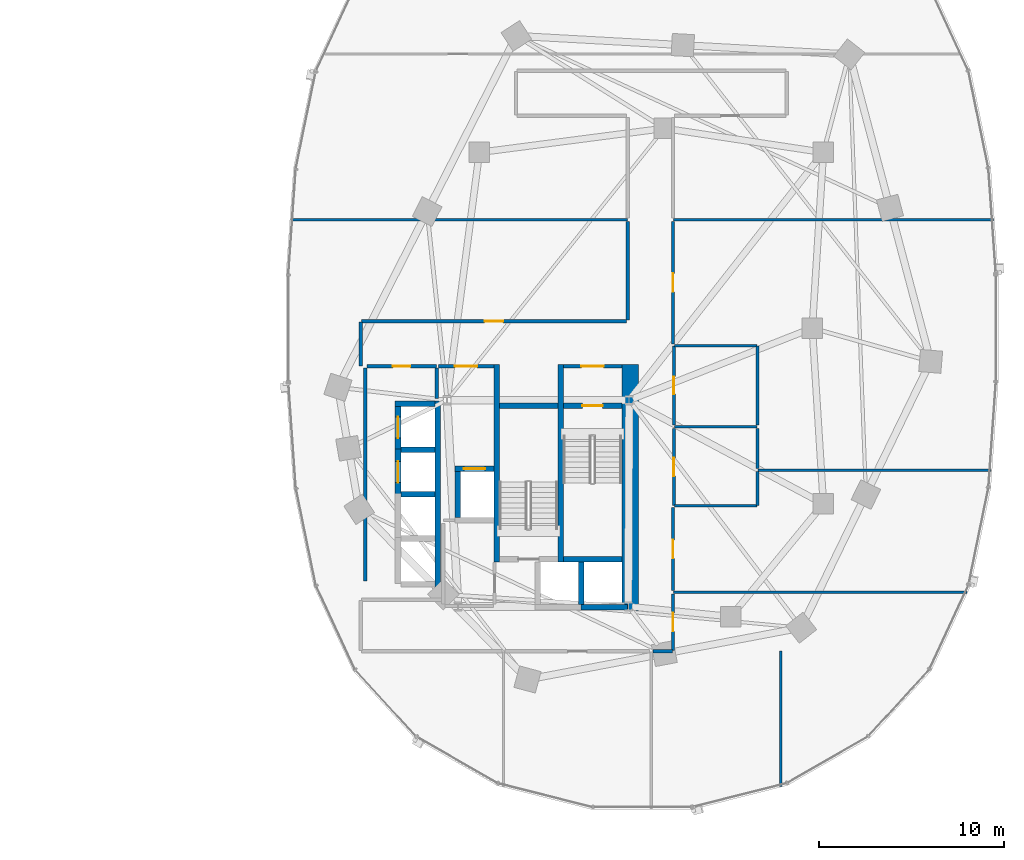
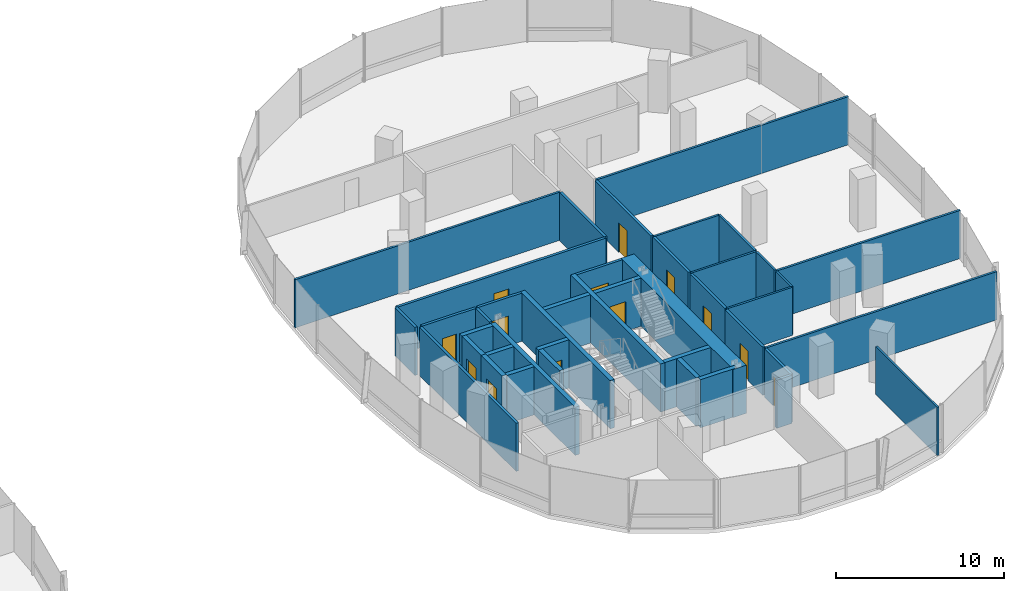
# One storey, part 13 of 21: 41 walls, 13 doors, 13 openings.
"""IFC4 building model written with IfcOpenShell, lengths in metres."""

from ifc_helpers import new_model, si_unit, direction, frame, frame_2d, origin, place, context, subcontext, project, spatial, rectangle, extrude, material, layer, layer_set, type_object, element, fill, save


model = new_model("IFC4")

# Units and contexts
model_context = context("Model", 3, precision=1e-05, world=origin(), true_north=direction((0.0, 1.0)))
body_context = subcontext(model_context, "Body", "Model", "MODEL_VIEW")
ifc_project = project(units=[si_unit("LENGTHUNIT", "METRE"), si_unit("AREAUNIT", "SQUARE_METRE"), si_unit("VOLUMEUNIT", "CUBIC_METRE"), si_unit("PLANEANGLEUNIT", "RADIAN"), si_unit("MASSUNIT", "GRAM", prefix="KILO"), si_unit("THERMODYNAMICTEMPERATUREUNIT", "KELVIN"), si_unit("POWERUNIT", "WATT")], contexts=[model_context])

# Site, building, storey
site_placement = place(None, origin())
site = spatial("IfcSite", under=ifc_project, at=site_placement, CompositionType="ELEMENT")
building_placement = place(site_placement, origin())
building = spatial("IfcBuilding", under=site, at=building_placement, Name="Cundina Bronze Exchange", CompositionType="ELEMENT")
storey_placement = place(building_placement, frame((0.0, 0.0, 62.0)))
storey = spatial("IfcBuildingStorey", under=building, at=storey_placement, Name="L15", CompositionType="ELEMENT", Elevation=62.0)

# Wall
ifc_material_1 = material(Name="Gypsum Fireboard Partition EI120")
ifc_layer_1 = layer(ifc_material_1, 0.179931640625, Name="Gypsum Fireboard Partition EI120")
ifc_layer_set_1 = layer_set([ifc_layer_1], Name="Gypsum Fireboard Partition EI120")
wall_type_1 = type_object("IfcWallType", Name="WL-COR-180", PredefinedType="PARTITIONING", material=ifc_layer_set_1)
wall_1_placement = place(storey_placement, frame((20.889892578125, -3.800048828125, 0.0), z_axis=(0.0, 0.0, 1.0), x_axis=(0.0, 1.0, 0.0)))
element("IfcWall", 1, at=wall_1_placement, inside=storey, type_object=wall_type_1, Name="L15 E Firefighting Lobby Side Wall", PredefinedType="PARTITIONING", context=body_context, shape_type="SweptSolid", body=[
    extrude(rectangle(XDim=1.650146484375, YDim=0.179931640625, at=frame_2d((0.8251953125, 0.0))), origin(), (0.0, 0.0, 1.0), 3.5),
])

# Wall, opening, door
wall_2_placement = place(storey_placement, frame((20.97998046875, -2.06005859375, 0.0), z_axis=(0.0, 0.0, 1.0), x_axis=(1.0, 0.0, 0.0)))
wall_2 = element("IfcWall", 2, at=wall_2_placement, inside=storey, type_object=wall_type_1, Name="L15 E Firefighting Lobby Exit Wall", PredefinedType="PARTITIONING", context=body_context, shape_type="SweptSolid", body=[
    extrude(rectangle(XDim=3.0, YDim=0.179931640625, at=frame_2d((1.5, 0.0))), origin(), (0.0, 0.0, 1.0), 3.5),
])
opening_1_placement = place(wall_2_placement, frame((0.89990234375, 0.0, 0.0)))
opening_1 = element("IfcOpeningElement", 3, at=opening_1_placement, cuts=wall_2, Name="Opening DF-01", PredefinedType="OPENING", context=body_context, shape_type="SweptSolid", body=[
    extrude(rectangle(XDim=1.199951171875, YDim=2.14990234375, at=frame_2d((0.60009765625, 1.074951171875))), frame((0.0, 0.099853515625, 0.0), z_axis=(0.0, -1.0, 0.0), x_axis=(1.0, 0.0, 0.0)), (0.0, 0.0, 1.0), 0.199951171875),
])
ifc_material_2 = material(Name="Steel ASTM A36 Painted", Category="steel")
door_type_1 = type_object("IfcDoorType", Name="DR-FFL-1200", OperationType="NOTDEFINED", PredefinedType="DOOR", material=ifc_material_2)
door_1_placement = place(opening_1_placement, origin())
door_1 = element("IfcDoor", 4, at=door_1_placement, inside=storey, type_object=door_type_1, Name="L15 E Firefighting Lobby Door", OperationType="SINGLE_SWING_LEFT", OverallHeight=2.14990234375, OverallWidth=1.199951171875, PredefinedType="DOOR", context=body_context, shape_type="SweptSolid", body=[
    extrude(rectangle(XDim=1.199951171875, YDim=2.14990234375, at=frame_2d((0.60009765625, 1.074951171875))), frame((0.0, 0.02490234375, 0.0), z_axis=(0.0, -1.0, 0.0), x_axis=(1.0, 0.0, 0.0)), (0.0, 0.0, 1.0), 0.050048828125),
])
fill(opening_1, door_1)

wall_3_placement = place(storey_placement, frame((27.739990234375, -2.06005859375, 0.0), z_axis=(0.0, 0.0, 1.0), x_axis=(1.0, 0.0, 0.0)))
wall_3 = element("IfcWall", 5, at=wall_3_placement, inside=storey, type_object=wall_type_1, Name="L15 E Stair Vestibule Exit Wall", PredefinedType="PARTITIONING", context=body_context, shape_type="SweptSolid", body=[
    extrude(rectangle(XDim=3.159912109375, YDim=0.179931640625, at=frame_2d((1.580078125, 0.0))), origin(), (0.0, 0.0, 1.0), 3.5),
])
opening_2_placement = place(wall_3_placement, frame((0.97998046875, 0.0, 0.0)))
opening_2 = element("IfcOpeningElement", 6, at=opening_2_placement, cuts=wall_3, Name="Opening DF-01", PredefinedType="OPENING", context=body_context, shape_type="SweptSolid", body=[
    extrude(rectangle(XDim=1.199951171875, YDim=2.14990234375, at=frame_2d((0.60009765625, 1.074951171875))), frame((0.0, 0.099853515625, 0.0), z_axis=(0.0, -1.0, 0.0), x_axis=(1.0, 0.0, 0.0)), (0.0, 0.0, 1.0), 0.199951171875),
])
door_2_placement = place(opening_2_placement, origin())
door_2 = element("IfcDoor", 7, at=door_2_placement, inside=storey, type_object=door_type_1, Name="L15 E Stair Vestibule Door", OperationType="SINGLE_SWING_RIGHT", OverallHeight=2.14990234375, OverallWidth=1.199951171875, PredefinedType="DOOR", context=body_context, shape_type="SweptSolid", body=[
    extrude(rectangle(XDim=1.199951171875, YDim=2.14990234375, at=frame_2d((0.60009765625, 1.074951171875))), frame((0.0, 0.02490234375, 0.0), z_axis=(0.0, -1.0, 0.0), x_axis=(1.0, 0.0, 0.0)), (0.0, 0.0, 1.0), 0.050048828125),
])
fill(opening_2, door_2)

# Wall
wall_4_placement = place(storey_placement, frame((17.02001953125, -13.679931640625, 0.0), z_axis=(0.0, 0.0, 1.0), x_axis=(0.0, 1.0, 0.0)))
element("IfcWall", 8, at=wall_4_placement, inside=storey, type_object=wall_type_1, Name="L15 Interior Partition 039", PredefinedType="PARTITIONING", context=body_context, shape_type="SweptSolid", body=[
    extrude(rectangle(XDim=11.510009765625, YDim=0.179931640625, at=frame_2d((5.7548828125, 0.0))), origin(), (0.0, 0.0, 1.0), 3.5),
])

# Wall, opening, door
wall_5_placement = place(storey_placement, frame((17.1201171875, -2.070068359375, 0.0), z_axis=(0.0, 0.0, 1.0), x_axis=(1.0, 0.0, 0.0)))
wall_5 = element("IfcWall", 9, at=wall_5_placement, inside=storey, type_object=wall_type_1, Name="L15 Interior Partition 040", PredefinedType="PARTITIONING", context=body_context, shape_type="SweptSolid", body=[
    extrude(rectangle(XDim=3.75, YDim=0.179931640625, at=frame_2d((1.875, 0.0))), origin(), (0.0, 0.0, 1.0), 3.5),
])
opening_3_placement = place(wall_5_placement, frame((1.39990234375, 0.0, 0.0)))
opening_3 = element("IfcOpeningElement", 10, at=opening_3_placement, cuts=wall_5, Name="Opening DW-01", PredefinedType="OPENING", context=body_context, shape_type="SweptSolid", body=[
    extrude(rectangle(XDim=0.949951171875, YDim=2.10009765625, at=frame_2d((0.47509765625, 1.050048828125))), frame((0.0, 0.099853515625, 0.0), z_axis=(0.0, -1.0, 0.0), x_axis=(1.0, 0.0, 0.0)), (0.0, 0.0, 1.0), 0.199951171875),
])
ifc_material_3 = material(Name="Solid Andean Oak Timber Grade A", Category="wood")
door_type_2 = type_object("IfcDoorType", Name="DR-WC-950", OperationType="NOTDEFINED", PredefinedType="DOOR", material=ifc_material_3)
door_3_placement = place(opening_3_placement, origin())
door_3 = element("IfcDoor", 11, at=door_3_placement, inside=storey, type_object=door_type_2, Name="L15 Interior Door 040", OperationType="SINGLE_SWING_RIGHT", OverallHeight=2.10009765625, OverallWidth=0.949951171875, PredefinedType="DOOR", context=body_context, shape_type="SweptSolid", body=[
    extrude(rectangle(XDim=0.949951171875, YDim=2.10009765625, at=frame_2d((0.47509765625, 1.050048828125))), frame((0.0, 0.02490234375, 0.0), z_axis=(0.0, -1.0, 0.0), x_axis=(1.0, 0.0, 0.0)), (0.0, 0.0, 1.0), 0.050048828125),
])
fill(opening_3, door_3)

wall_6_placement = place(storey_placement, frame((33.719970703125, -5.22998046875, 0.0), z_axis=(0.0, 0.0, 1.0), x_axis=(0.0, 1.0, 0.0)))
wall_6 = element("IfcWall", 12, at=wall_6_placement, inside=storey, type_object=wall_type_1, Name="L15 Interior Partition 051", PredefinedType="PARTITIONING", context=body_context, shape_type="SweptSolid", body=[
    extrude(rectangle(XDim=4.260009765625, YDim=0.179931640625, at=frame_2d((2.1298828125, 0.0))), origin(), (0.0, 0.0, 1.0), 3.5),
])
opening_4_placement = place(wall_6_placement, frame((1.655029296875, 0.0, 0.0)))
opening_4 = element("IfcOpeningElement", 13, at=opening_4_placement, cuts=wall_6, Name="Opening DW-01", PredefinedType="OPENING", context=body_context, shape_type="SweptSolid", body=[
    extrude(rectangle(XDim=0.949951171875, YDim=2.10009765625, at=frame_2d((0.47509765625, 1.050048828125))), frame((0.0, 0.099853515625, 0.0), z_axis=(0.0, -1.0, 0.0), x_axis=(1.0, 0.0, 0.0)), (0.0, 0.0, 1.0), 0.199951171875),
])
door_4_placement = place(opening_4_placement, origin())
door_4 = element("IfcDoor", 14, at=door_4_placement, inside=storey, type_object=door_type_2, Name="L15 Interior Door 051", OperationType="SINGLE_SWING_RIGHT", OverallHeight=2.10009765625, OverallWidth=0.949951171875, PredefinedType="DOOR", context=body_context, shape_type="SweptSolid", body=[
    extrude(rectangle(XDim=0.949951171875, YDim=2.10009765625, at=frame_2d((0.47509765625, 1.050048828125))), frame((0.0, 0.02490234375, 0.0), z_axis=(0.0, -1.0, 0.0), x_axis=(1.0, 0.0, 0.0)), (0.0, 0.0, 1.0), 0.050048828125),
])
fill(opening_4, door_4)

wall_7_placement = place(storey_placement, frame((33.719970703125, -9.590087890625, 0.0), z_axis=(0.0, 0.0, 1.0), x_axis=(0.0, 1.0, 0.0)))
wall_7 = element("IfcWall", 15, at=wall_7_placement, inside=storey, type_object=wall_type_1, Name="L15 Interior Partition 052", PredefinedType="PARTITIONING", context=body_context, shape_type="SweptSolid", body=[
    extrude(rectangle(XDim=4.16015625, YDim=0.179931640625, at=frame_2d((2.080078125, 0.0))), origin(), (0.0, 0.0, 1.0), 3.5),
])
opening_5_placement = place(wall_7_placement, frame((1.580078125, 0.0, 0.0)))
opening_5 = element("IfcOpeningElement", 16, at=opening_5_placement, cuts=wall_7, Name="Opening DO-01", PredefinedType="OPENING", context=body_context, shape_type="SweptSolid", body=[
    extrude(rectangle(XDim=1.0, YDim=2.14990234375, at=frame_2d((0.5, 1.074951171875))), frame((0.0, 0.099853515625, 0.0), z_axis=(0.0, -1.0, 0.0), x_axis=(1.0, 0.0, 0.0)), (0.0, 0.0, 1.0), 0.199951171875),
])
door_type_3 = type_object("IfcDoorType", Name="DR-OFF-1000", OperationType="NOTDEFINED", PredefinedType="DOOR", material=ifc_material_3)
door_5_placement = place(opening_5_placement, origin())
door_5 = element("IfcDoor", 17, at=door_5_placement, inside=storey, type_object=door_type_3, Name="L15 Interior Door 052", OperationType="SINGLE_SWING_RIGHT", OverallHeight=2.14990234375, OverallWidth=1.0, PredefinedType="DOOR", context=body_context, shape_type="SweptSolid", body=[
    extrude(rectangle(XDim=1.0, YDim=2.14990234375, at=frame_2d((0.5, 1.074951171875))), frame((0.0, 0.02490234375, 0.0), z_axis=(0.0, -1.0, 0.0), x_axis=(1.0, 0.0, 0.0)), (0.0, 0.0, 1.0), 0.050048828125),
])
fill(opening_5, door_5)

wall_8_placement = place(storey_placement, frame((33.669921875, -17.428466796875, 0.0), z_axis=(0.0, 0.0, 1.0), x_axis=(0.0, 1.0, 0.0)))
wall_8 = element("IfcWall", 18, at=wall_8_placement, inside=storey, type_object=wall_type_1, Name="L15 Interior Partition 061", PredefinedType="PARTITIONING", context=body_context, shape_type="SweptSolid", body=[
    extrude(rectangle(XDim=3.058349609375, YDim=0.179931640625, at=frame_2d((1.529296875, 0.0))), origin(), (0.0, 0.0, 1.0), 3.5),
])
opening_6_placement = place(wall_8_placement, frame((1.029296875, 0.0, 0.0)))
opening_6 = element("IfcOpeningElement", 19, at=opening_6_placement, cuts=wall_8, Name="Opening DO-01", PredefinedType="OPENING", context=body_context, shape_type="SweptSolid", body=[
    extrude(rectangle(XDim=1.0, YDim=2.14990234375, at=frame_2d((0.5, 1.074951171875))), frame((0.0, 0.099853515625, 0.0), z_axis=(0.0, -1.0, 0.0), x_axis=(1.0, 0.0, 0.0)), (0.0, 0.0, 1.0), 0.199951171875),
])
door_6_placement = place(opening_6_placement, origin())
door_6 = element("IfcDoor", 20, at=door_6_placement, inside=storey, type_object=door_type_3, Name="L15 Interior Door 061", OperationType="SINGLE_SWING_LEFT", OverallHeight=2.14990234375, OverallWidth=1.0, PredefinedType="DOOR", context=body_context, shape_type="SweptSolid", body=[
    extrude(rectangle(XDim=1.0, YDim=2.14990234375, at=frame_2d((0.5, 1.074951171875))), frame((0.0, 0.02490234375, 0.0), z_axis=(0.0, -1.0, 0.0), x_axis=(1.0, 0.0, 0.0)), (0.0, 0.0, 1.0), 0.050048828125),
])
fill(opening_6, door_6)

# Wall
wall_9_placement = place(storey_placement, frame((32.590087890625, -17.469970703125, 0.0), z_axis=(0.0, 0.0, 1.0), x_axis=(1.0, 0.0, 0.0)))
element("IfcWall", 21, at=wall_9_placement, inside=storey, type_object=wall_type_1, Name="L15 Interior Partition 062", PredefinedType="PARTITIONING", context=body_context, shape_type="SweptSolid", body=[
    extrude(rectangle(XDim=1.038330078125, YDim=0.179931640625, at=frame_2d((0.51904296875, 0.0))), origin(), (0.0, 0.0, 1.0), 3.5),
])

# Wall, opening, door
wall_10_placement = place(storey_placement, frame((33.669921875, -14.18994140625, 0.0), z_axis=(0.0, 0.0, 1.0), x_axis=(0.0, 1.0, 0.0)))
wall_10 = element("IfcWall", 22, at=wall_10_placement, inside=storey, type_object=wall_type_1, Name="L15 Interior Partition 063", PredefinedType="PARTITIONING", context=body_context, shape_type="SweptSolid", body=[
    extrude(rectangle(XDim=4.488525390625, YDim=0.179931640625, at=frame_2d((2.244140625, 0.0))), origin(), (0.0, 0.0, 1.0), 3.5),
])
opening_7_placement = place(wall_10_placement, frame((1.744384765625, 0.0, 0.0)))
opening_7 = element("IfcOpeningElement", 23, at=opening_7_placement, cuts=wall_10, Name="Opening DO-01", PredefinedType="OPENING", context=body_context, shape_type="SweptSolid", body=[
    extrude(rectangle(XDim=1.0, YDim=2.14990234375, at=frame_2d((0.5, 1.074951171875))), frame((0.0, 0.099853515625, 0.0), z_axis=(0.0, -1.0, 0.0), x_axis=(1.0, 0.0, 0.0)), (0.0, 0.0, 1.0), 0.199951171875),
])
door_7_placement = place(opening_7_placement, origin())
door_7 = element("IfcDoor", 24, at=door_7_placement, inside=storey, type_object=door_type_3, Name="L15 Interior Door 063", OperationType="SINGLE_SWING_RIGHT", OverallHeight=2.14990234375, OverallWidth=1.0, PredefinedType="DOOR", context=body_context, shape_type="SweptSolid", body=[
    extrude(rectangle(XDim=1.0, YDim=2.14990234375, at=frame_2d((0.5, 1.074951171875))), frame((0.0, 0.02490234375, 0.0), z_axis=(0.0, -1.0, 0.0), x_axis=(1.0, 0.0, 0.0)), (0.0, 0.0, 1.0), 0.050048828125),
])
fill(opening_7, door_7)

wall_11_placement = place(storey_placement, frame((31.14990234375, 0.3701171875, 0.0), z_axis=(0.0, 0.0, 1.0), x_axis=(-1.0, 0.0, 0.0)))
wall_11 = element("IfcWall", 25, at=wall_11_placement, inside=storey, type_object=wall_type_1, Name="L15 Interior Partition 064", PredefinedType="PARTITIONING", context=body_context, shape_type="SweptSolid", body=[
    extrude(rectangle(XDim=14.328369140625, YDim=0.179931640625, at=frame_2d((7.1640625, 0.0))), origin(), (0.0, 0.0, 1.0), 3.5),
])
opening_8_placement = place(wall_11_placement, frame((6.664306640625, 0.0, 0.0)))
opening_8 = element("IfcOpeningElement", 26, at=opening_8_placement, cuts=wall_11, Name="Opening DO-01", PredefinedType="OPENING", context=body_context, shape_type="SweptSolid", body=[
    extrude(rectangle(XDim=1.0, YDim=2.14990234375, at=frame_2d((0.5, 1.074951171875))), frame((0.0, 0.099853515625, 0.0), z_axis=(0.0, -1.0, 0.0), x_axis=(1.0, 0.0, 0.0)), (0.0, 0.0, 1.0), 0.199951171875),
])
door_8_placement = place(opening_8_placement, origin())
door_8 = element("IfcDoor", 27, at=door_8_placement, inside=storey, type_object=door_type_3, Name="L15 Interior Door 064", OperationType="SINGLE_SWING_RIGHT", OverallHeight=2.14990234375, OverallWidth=1.0, PredefinedType="DOOR", context=body_context, shape_type="SweptSolid", body=[
    extrude(rectangle(XDim=1.0, YDim=2.14990234375, at=frame_2d((0.5, 1.074951171875))), frame((0.0, 0.02490234375, 0.0), z_axis=(0.0, -1.0, 0.0), x_axis=(1.0, 0.0, 0.0)), (0.0, 0.0, 1.0), 0.050048828125),
])
fill(opening_8, door_8)

# Walls
wall_12_placement = place(storey_placement, frame((31.22998046875, 5.77001953125, 0.0), z_axis=(0.0, 0.0, 1.0), x_axis=(0.0, -1.0, 0.0)))
element("IfcWall", 28, at=wall_12_placement, inside=storey, type_object=wall_type_1, Name="L15 Interior Partition 066", PredefinedType="PARTITIONING", context=body_context, shape_type="SweptSolid", body=[
    extrude(rectangle(XDim=5.320068359375, YDim=0.179931640625, at=frame_2d((2.66015625, 0.0))), origin(), (0.0, 0.0, 1.0), 3.5),
])
wall_13_placement = place(storey_placement, frame((16.780029296875, 0.32861328125, 0.0), z_axis=(0.0, 0.0, 1.0), x_axis=(0.0, -1.0, 0.0)))
element("IfcWall", 29, at=wall_13_placement, inside=storey, type_object=wall_type_1, Name="L15 Interior Partition 069", PredefinedType="PARTITIONING", context=body_context, shape_type="SweptSolid", body=[
    extrude(rectangle(XDim=2.38720703125, YDim=0.179931640625, at=frame_2d((1.193603515625, 0.0))), origin(), (0.0, 0.0, 1.0), 3.5),
])

# Wall, opening, door
wall_14_placement = place(storey_placement, frame((33.669921875, -0.858642578125, 0.0), z_axis=(0.0, 0.0, 1.0), x_axis=(0.0, 1.0, 0.0)))
wall_14 = element("IfcWall", 30, at=wall_14_placement, inside=storey, type_object=wall_type_1, Name="L15 Interior Partition 070", PredefinedType="PARTITIONING", context=body_context, shape_type="SweptSolid", body=[
    extrude(rectangle(XDim=6.628662109375, YDim=0.179931640625, at=frame_2d((3.314453125, 0.0))), origin(), (0.0, 0.0, 1.0), 3.5),
])
opening_9_placement = place(wall_14_placement, frame((2.814208984375, 0.0, 0.0)))
opening_9 = element("IfcOpeningElement", 31, at=opening_9_placement, cuts=wall_14, Name="Opening DO-01", PredefinedType="OPENING", context=body_context, shape_type="SweptSolid", body=[
    extrude(rectangle(XDim=1.0, YDim=2.14990234375, at=frame_2d((0.5, 1.074951171875))), frame((0.0, 0.099853515625, 0.0), z_axis=(0.0, -1.0, 0.0), x_axis=(1.0, 0.0, 0.0)), (0.0, 0.0, 1.0), 0.199951171875),
])
door_9_placement = place(opening_9_placement, origin())
door_9 = element("IfcDoor", 32, at=door_9_placement, inside=storey, type_object=door_type_3, Name="L15 Interior Door 070", OperationType="SINGLE_SWING_RIGHT", OverallHeight=2.14990234375, OverallWidth=1.0, PredefinedType="DOOR", context=body_context, shape_type="SweptSolid", body=[
    extrude(rectangle(XDim=1.0, YDim=2.14990234375, at=frame_2d((0.5, 1.074951171875))), frame((0.0, 0.02490234375, 0.0), z_axis=(0.0, -1.0, 0.0), x_axis=(1.0, 0.0, 0.0)), (0.0, 0.0, 1.0), 0.050048828125),
])
fill(opening_9, door_9)

# Walls
ifc_material_4 = material(Name="Concrete C60/75", Category="concrete")
ifc_layer_2 = layer(ifc_material_4, 0.89990234375, Name="Concrete C60/75", Category="concrete")
ifc_layer_set_2 = layer_set([ifc_layer_2], Name="Concrete C60/75")
wall_type_2 = type_object("IfcWallType", Name="WL-CORE-900", PredefinedType="SHEAR", material=ifc_layer_set_2)
wall_15_placement = place(storey_placement, frame((31.35009765625, -15.300048828125, 0.0), z_axis=(0.0, 0.0, 1.0), x_axis=(0.0, 1.0, 0.0)))
element("IfcWall", 33, at=wall_15_placement, inside=storey, type_object=wall_type_2, Name="L15 E Primary Core Shear Spine Wall", PredefinedType="SHEAR", context=body_context, shape_type="SweptSolid", body=[
    extrude(rectangle(XDim=13.330078125, YDim=0.89990234375, at=frame_2d((6.6650390625, 0.0))), origin(), (0.0, 0.0, 1.0), 3.5),
])
ifc_material_5 = material(Name="Gypsum Acoustic Partition EI60")
ifc_layer_3 = layer(ifc_material_5, 0.125, Name="Gypsum Acoustic Partition EI60")
ifc_layer_set_3 = layer_set([ifc_layer_3], Name="Gypsum Acoustic Partition EI60")
wall_type_3 = type_object("IfcWallType", Name="WL-OFF-125", PredefinedType="PARTITIONING", material=ifc_layer_set_3)
wall_16_placement = place(storey_placement, frame((39.5, -24.772216796875, 0.0), z_axis=(0.0, 0.0, 1.0), x_axis=(0.0, 1.0, 0.0)))
element("IfcWall", 34, at=wall_16_placement, inside=storey, type_object=wall_type_3, Name="L15 Interior Partition 059", PredefinedType="PARTITIONING", context=body_context, shape_type="SweptSolid", body=[
    extrude(rectangle(XDim=7.30224609375, YDim=0.125, at=frame_2d((3.651123046875, 0.0))), origin(), (0.0, 0.0, 1.0), 3.5),
])
ifc_material_6 = material(Name="Concrete C50/60", Category="concrete")
ifc_layer_4 = layer(ifc_material_6, 0.300048828125, Name="Concrete C50/60", Category="concrete")
ifc_layer_set_4 = layer_set([ifc_layer_4], Name="Concrete C50/60")
wall_type_4 = type_object("IfcWallType", Name="WL-SHFT-300", PredefinedType="SHEAR", material=ifc_layer_set_4)
for number, where, z_axis, x_axis, name in (
    (35, (27.590087890625, -12.64990234375, 0.0), (0.0, 0.0, 1.0), (0.0, 1.0, 0.0), "L15 E Stair Shaft Dividing Shear Wall"),
    (36, (24.1298828125, -12.64990234375, 0.0), (0.0, 0.0, 1.0), (0.0, 1.0, 0.0), "L15 E Stair 2 East Shear Wall"),
):
    element("IfcWall", number, at=place(storey_placement, frame(where, z_axis=z_axis, x_axis=x_axis)), inside=storey, type_object=wall_type_4, Name=name, PredefinedType="SHEAR", context=body_context, shape_type="SweptSolid", body=[
        extrude(rectangle(XDim=10.679931640625, YDim=0.300048828125, at=frame_2d((5.33984375, 0.0))), origin(), (0.0, 0.0, 1.0), 3.5),
    ])

# Wall, opening, door
wall_17_placement = place(storey_placement, frame((27.739990234375, -4.199951171875, 0.0), z_axis=(0.0, 0.0, 1.0), x_axis=(1.0, 0.0, 0.0)))
wall_17 = element("IfcWall", 37, at=wall_17_placement, inside=storey, type_object=wall_type_4, Name="L15 Stair E1 Landing Wall", PredefinedType="SHEAR", context=body_context, shape_type="SweptSolid", body=[
    extrude(rectangle(XDim=3.159912109375, YDim=0.300048828125, at=frame_2d((1.580078125, 0.0))), origin(), (0.0, 0.0, 1.0), 3.5),
])
opening_10_placement = place(wall_17_placement, frame((1.030029296875, 0.0, 0.0)))
opening_10 = element("IfcOpeningElement", 38, at=opening_10_placement, cuts=wall_17, Name="Opening DS-01", PredefinedType="OPENING", context=body_context, shape_type="SweptSolid", body=[
    extrude(rectangle(XDim=1.10009765625, YDim=2.14990234375, at=frame_2d((0.550048828125, 1.074951171875))), frame((0.0, 0.159912109375, 0.0), z_axis=(0.0, -1.0, 0.0), x_axis=(1.0, 0.0, 0.0)), (0.0, 0.0, 1.0), 0.320068359375),
])
door_type_4 = type_object("IfcDoorType", Name="DR-STR-1100", OperationType="NOTDEFINED", PredefinedType="DOOR", material=ifc_material_2)
door_10_placement = place(opening_10_placement, origin())
door_10 = element("IfcDoor", 39, at=door_10_placement, inside=storey, type_object=door_type_4, Name="L15 Smokeproof Stair E1 Door", OperationType="SINGLE_SWING_LEFT", OverallHeight=2.14990234375, OverallWidth=1.10009765625, PredefinedType="DOOR", context=body_context, shape_type="SweptSolid", body=[
    extrude(rectangle(XDim=1.10009765625, YDim=2.14990234375, at=frame_2d((0.550048828125, 1.074951171875))), frame((0.0, 0.02490234375, 0.0), z_axis=(0.0, -1.0, 0.0), x_axis=(1.0, 0.0, 0.0)), (0.0, 0.0, 1.0), 0.050048828125),
])
fill(opening_10, door_10)

# Walls
for number, where, z_axis, x_axis, name in (
    (40, (27.739990234375, -12.5, 0.0), (0.0, 0.0, 1.0), (1.0, 0.0, 0.0), "L15 Stair E1 Far Shaft Wall"),
    (41, (24.280029296875, -4.199951171875, 0.0), (0.0, 0.0, 1.0), (1.0, 0.0, 0.0), "L15 Stair E2 Far Shaft Wall"),
):
    element("IfcWall", number, at=place(storey_placement, frame(where, z_axis=z_axis, x_axis=x_axis)), inside=storey, type_object=wall_type_4, Name=name, PredefinedType="SHEAR", context=body_context, shape_type="SweptSolid", body=[
        extrude(rectangle(XDim=3.159912109375, YDim=0.300048828125, at=frame_2d((1.580078125, 0.0))), origin(), (0.0, 0.0, 1.0), 3.5),
    ])

# Wall, opening, door
wall_18_placement = place(storey_placement, frame((21.8798828125, -7.60009765625, 0.0), z_axis=(0.0, 0.0, 1.0), x_axis=(1.0, 0.0, 0.0)))
wall_18 = element("IfcWall", 42, at=wall_18_placement, inside=storey, type_object=wall_type_4, Name="L15 FFL-E Hoistway Front Wall", PredefinedType="SHEAR", context=body_context, shape_type="SweptSolid", body=[
    extrude(rectangle(XDim=2.10009765625, YDim=0.300048828125, at=frame_2d((1.050048828125, 0.0))), origin(), (0.0, 0.0, 1.0), 3.5),
])
opening_11_placement = place(wall_18_placement, frame((0.47509765625, 0.0, 0.0)))
opening_11 = element("IfcOpeningElement", 43, at=opening_11_placement, cuts=wall_18, Name="Opening LD-01", PredefinedType="OPENING", context=body_context, shape_type="SweptSolid", body=[
    extrude(rectangle(XDim=1.14990234375, YDim=2.199951171875, at=frame_2d((0.574951171875, 1.10009765625))), frame((0.0, 0.159912109375, 0.0), z_axis=(0.0, -1.0, 0.0), x_axis=(1.0, 0.0, 0.0)), (0.0, 0.0, 1.0), 0.320068359375),
])
door_type_5 = type_object("IfcDoorType", Name="DR-LND-1150", OperationType="NOTDEFINED", PredefinedType="TRAPDOOR", material=ifc_material_2)
door_11_placement = place(opening_11_placement, origin())
door_11 = element("IfcDoor", 44, at=door_11_placement, inside=storey, type_object=door_type_5, Name="L15 FFL-E Sliding Landing Door", OperationType="SLIDING_TO_LEFT", OverallHeight=2.199951171875, OverallWidth=1.14990234375, PredefinedType="TRAPDOOR", context=body_context, shape_type="SweptSolid", body=[
    extrude(rectangle(XDim=1.14990234375, YDim=2.199951171875, at=frame_2d((0.574951171875, 1.10009765625))), frame((0.0, 0.02490234375, 0.0), z_axis=(0.0, -1.0, 0.0), x_axis=(1.0, 0.0, 0.0)), (0.0, 0.0, 1.0), 0.050048828125),
])
fill(opening_11, door_11)

# Walls
for number, where, z_axis, x_axis, name in (
    (45, (22.030029296875, -10.25, 0.0), (0.0, 0.0, 1.0), (0.0, 1.0, 0.0), "L15 FFL-E Hoistway Side Wall"),
    (46, (28.699951171875, -15.10009765625, 0.0), (0.0, 0.0, 1.0), (1.0, 0.0, 0.0), "L15 PH-E1 Hoistway Front Wall"),
):
    element("IfcWall", number, at=place(storey_placement, frame(where, z_axis=z_axis, x_axis=x_axis)), inside=storey, type_object=wall_type_4, Name=name, PredefinedType="SHEAR", context=body_context, shape_type="SweptSolid", body=[
        extrude(rectangle(XDim=2.5, YDim=0.300048828125, at=frame_2d((1.25, 0.0))), origin(), (0.0, 0.0, 1.0), 3.5),
    ])
wall_19_placement = place(storey_placement, frame((28.699951171875, -14.949951171875, 0.0), z_axis=(0.0, 0.0, 1.0), x_axis=(0.0, 1.0, 0.0)))
element("IfcWall", 47, at=wall_19_placement, inside=storey, type_object=wall_type_4, Name="L15 PH-E1 Hoistway Divider Wall", PredefinedType="SHEAR", context=body_context, shape_type="SweptSolid", body=[
    extrude(rectangle(XDim=2.300048828125, YDim=0.300048828125, at=frame_2d((1.14990234375, 0.0))), origin(), (0.0, 0.0, 1.0), 3.5),
])
wall_20_placement = place(storey_placement, frame((20.949951171875, -14.0, 0.0), z_axis=(0.0, 0.0, 1.0), x_axis=(0.0, 1.0, 0.0)))
element("IfcWall", 48, at=wall_20_placement, inside=storey, type_object=wall_type_4, Name="L15 E Passenger Bank Hoistway Back Wall", PredefinedType="SHEAR", context=body_context, shape_type="SweptSolid", body=[
    extrude(rectangle(XDim=10.050048828125, YDim=0.300048828125, at=frame_2d((5.02490234375, 0.0))), origin(), (0.0, 0.0, 1.0), 3.5),
])
wall_21_placement = place(storey_placement, frame((18.64990234375, -4.10009765625, 0.0), z_axis=(0.0, 0.0, 1.0), x_axis=(1.0, 0.0, 0.0)))
element("IfcWall", 49, at=wall_21_placement, inside=storey, type_object=wall_type_4, Name="L15 E Passenger Bank North Cap Wall", PredefinedType="SHEAR", context=body_context, shape_type="SweptSolid", body=[
    extrude(rectangle(XDim=2.150146484375, YDim=0.300048828125, at=frame_2d((1.0751953125, 0.0))), origin(), (0.0, 0.0, 1.0), 3.5),
])
for number, where, z_axis, x_axis, name in (
    (50, (18.949951171875, -8.97509765625, 0.0), (0.0, 0.0, 1.0), (1.0, 0.0, 0.0), "L15 E Passenger Hoistway Divider 2"),
    (51, (18.949951171875, -6.574951171875, 0.0), (0.0, 0.0, 1.0), (1.0, 0.0, 0.0), "L15 E Passenger Hoistway Divider 3"),
):
    element("IfcWall", number, at=place(storey_placement, frame(where, z_axis=z_axis, x_axis=x_axis)), inside=storey, type_object=wall_type_4, Name=name, PredefinedType="SHEAR", context=body_context, shape_type="SweptSolid", body=[
        extrude(rectangle(XDim=1.85009765625, YDim=0.300048828125, at=frame_2d((0.925048828125, 0.0))), origin(), (0.0, 0.0, 1.0), 3.5),
    ])

# Wall, opening, door
wall_22_placement = place(storey_placement, frame((18.800048828125, -9.02001953125, 0.0), z_axis=(0.0, 0.0, 1.0), x_axis=(0.0, 1.0, 0.0)))
wall_22 = element("IfcWall", 52, at=wall_22_placement, inside=storey, type_object=wall_type_4, Name="L15 PL-E1 Hoistway Front Wall", PredefinedType="SHEAR", context=body_context, shape_type="SweptSolid", body=[
    extrude(rectangle(XDim=2.489990234375, YDim=0.300048828125, at=frame_2d((1.2451171875, 0.0))), origin(), (0.0, 0.0, 1.0), 3.5),
])
opening_12_placement = place(wall_22_placement, frame((0.669921875, 0.0, 0.0)))
opening_12 = element("IfcOpeningElement", 53, at=opening_12_placement, cuts=wall_22, Name="Opening LD-01", PredefinedType="OPENING", context=body_context, shape_type="SweptSolid", body=[
    extrude(rectangle(XDim=1.14990234375, YDim=2.199951171875, at=frame_2d((0.574951171875, 1.10009765625))), frame((0.0, 0.159912109375, 0.0), z_axis=(0.0, -1.0, 0.0), x_axis=(1.0, 0.0, 0.0)), (0.0, 0.0, 1.0), 0.320068359375),
])
door_12_placement = place(opening_12_placement, origin())
door_12 = element("IfcDoor", 54, at=door_12_placement, inside=storey, type_object=door_type_5, Name="L15 PL-E1 Sliding Landing Door", OperationType="SLIDING_TO_LEFT", OverallHeight=2.199951171875, OverallWidth=1.14990234375, PredefinedType="TRAPDOOR", context=body_context, shape_type="SweptSolid", body=[
    extrude(rectangle(XDim=1.14990234375, YDim=2.199951171875, at=frame_2d((0.574951171875, 1.10009765625))), frame((0.0, 0.02490234375, 0.0), z_axis=(0.0, -1.0, 0.0), x_axis=(1.0, 0.0, 0.0)), (0.0, 0.0, 1.0), 0.050048828125),
])
fill(opening_12, door_12)

wall_23_placement = place(storey_placement, frame((18.800048828125, -6.6201171875, 0.0), z_axis=(0.0, 0.0, 1.0), x_axis=(0.0, 1.0, 0.0)))
wall_23 = element("IfcWall", 55, at=wall_23_placement, inside=storey, type_object=wall_type_4, Name="L15 PL-E2 Hoistway Front Wall", PredefinedType="SHEAR", context=body_context, shape_type="SweptSolid", body=[
    extrude(rectangle(XDim=2.490234375, YDim=0.300048828125, at=frame_2d((1.2451171875, 0.0))), origin(), (0.0, 0.0, 1.0), 3.5),
])
opening_13_placement = place(wall_23_placement, frame((0.669921875, 0.0, 0.0)))
opening_13 = element("IfcOpeningElement", 56, at=opening_13_placement, cuts=wall_23, Name="Opening LD-01", PredefinedType="OPENING", context=body_context, shape_type="SweptSolid", body=[
    extrude(rectangle(XDim=1.14990234375, YDim=2.199951171875, at=frame_2d((0.574951171875, 1.10009765625))), frame((0.0, 0.159912109375, 0.0), z_axis=(0.0, -1.0, 0.0), x_axis=(1.0, 0.0, 0.0)), (0.0, 0.0, 1.0), 0.320068359375),
])
door_13_placement = place(opening_13_placement, origin())
door_13 = element("IfcDoor", 57, at=door_13_placement, inside=storey, type_object=door_type_5, Name="L15 PL-E2 Sliding Landing Door", OperationType="SLIDING_TO_LEFT", OverallHeight=2.199951171875, OverallWidth=1.14990234375, PredefinedType="TRAPDOOR", context=body_context, shape_type="SweptSolid", body=[
    extrude(rectangle(XDim=1.14990234375, YDim=2.199951171875, at=frame_2d((0.574951171875, 1.10009765625))), frame((0.0, 0.02490234375, 0.0), z_axis=(0.0, -1.0, 0.0), x_axis=(1.0, 0.0, 0.0)), (0.0, 0.0, 1.0), 0.050048828125),
])
fill(opening_13, door_13)

# Walls
ifc_layer_5 = layer(ifc_material_5, 0.14990234375, Name="Gypsum Acoustic Partition EI60")
ifc_layer_set_5 = layer_set([ifc_layer_5], Name="Gypsum Acoustic Partition EI60")
wall_type_5 = type_object("IfcWallType", Name="WL-TEN-150", PredefinedType="PARTITIONING", material=ifc_layer_set_5)
wall_24_placement = place(storey_placement, frame((12.998291015625, 5.860107421875, 0.0), z_axis=(0.0, 0.0, 1.0), x_axis=(1.0, 0.0, 0.0)))
element("IfcWall", 58, at=wall_24_placement, inside=storey, type_object=wall_type_5, Name="L15 Interior Partition 053", PredefinedType="PARTITIONING", context=body_context, shape_type="SweptSolid", body=[
    extrude(rectangle(XDim=18.20166015625, YDim=0.14990234375, at=frame_2d((9.100830078125, 0.0))), origin(), (0.0, 0.0, 1.0), 3.5),
])
wall_25_placement = place(storey_placement, frame((33.699951171875, 5.860107421875, 0.0), z_axis=(0.0, 0.0, 1.0), x_axis=(1.0, 0.0, 0.0)))
element("IfcWall", 59, at=wall_25_placement, inside=storey, type_object=wall_type_5, Name="L15 Interior Partition 054", PredefinedType="PARTITIONING", context=body_context, shape_type="SweptSolid", body=[
    extrude(rectangle(XDim=17.3017578125, YDim=0.14990234375, at=frame_2d((8.65087890625, 0.0))), origin(), (0.0, 0.0, 1.0), 3.5),
])
wall_26_placement = place(storey_placement, frame((38.27001953125, -7.679931640625, 0.0), z_axis=(0.0, 0.0, 1.0), x_axis=(1.0, 0.0, 0.0)))
element("IfcWall", 60, at=wall_26_placement, inside=storey, type_object=wall_type_5, Name="L15 Interior Partition 055", PredefinedType="PARTITIONING", context=body_context, shape_type="SweptSolid", body=[
    extrude(rectangle(XDim=12.603515625, YDim=0.14990234375, at=frame_2d((6.3017578125, 0.0))), origin(), (0.0, 0.0, 1.0), 3.5),
])
wall_27_placement = place(storey_placement, frame((33.699951171875, -14.280029296875, 0.0), z_axis=(0.0, 0.0, 1.0), x_axis=(1.0, 0.0, 0.0)))
element("IfcWall", 61, at=wall_27_placement, inside=storey, type_object=wall_type_5, Name="L15 Interior Partition 056", PredefinedType="PARTITIONING", context=body_context, shape_type="SweptSolid", body=[
    extrude(rectangle(XDim=15.856689453125, YDim=0.14990234375, at=frame_2d((7.92822265625, 0.0))), origin(), (0.0, 0.0, 1.0), 3.5),
])
ifc_material_7 = material(Name="Moisture-Resistant Masonry Block Grade M15", Category="masonry")
ifc_layer_6 = layer(ifc_material_7, 0.139892578125, Name="Moisture-Resistant Masonry Block Grade M15", Category="masonry")
ifc_layer_set_6 = layer_set([ifc_layer_6], Name="Moisture-Resistant Masonry Block Grade M15")
wall_type_6 = type_object("IfcWallType", Name="WL-WET-140", PredefinedType="PARTITIONING", material=ifc_layer_set_6)
wall_28_placement = place(storey_placement, frame((38.239990234375, -9.590087890625, 0.0), z_axis=(0.0, 0.0, 1.0), x_axis=(0.0, 1.0, 0.0)))
element("IfcWall", 62, at=wall_28_placement, inside=storey, type_object=wall_type_6, Name="L15 Interior Partition 045", PredefinedType="PARTITIONING", context=body_context, shape_type="SweptSolid", body=[
    extrude(rectangle(XDim=1.8251953125, YDim=0.139892578125, at=frame_2d((0.91259765625, 0.0))), origin(), (0.0, 0.0, 1.0), 3.5),
])
wall_29_placement = place(storey_placement, frame((38.239990234375, -7.594970703125, 0.0), z_axis=(0.0, 0.0, 1.0), x_axis=(0.0, 1.0, 0.0)))
element("IfcWall", 63, at=wall_29_placement, inside=storey, type_object=wall_type_6, Name="L15 Interior Partition 046", PredefinedType="PARTITIONING", context=body_context, shape_type="SweptSolid", body=[
    extrude(rectangle(XDim=2.179931640625, YDim=0.139892578125, at=frame_2d((1.08984375, 0.0))), origin(), (0.0, 0.0, 1.0), 3.5),
])
wall_30_placement = place(storey_placement, frame((38.239990234375, -5.2451171875, 0.0), z_axis=(0.0, 0.0, 1.0), x_axis=(0.0, 1.0, 0.0)))
element("IfcWall", 64, at=wall_30_placement, inside=storey, type_object=wall_type_6, Name="L15 Interior Partition 047", PredefinedType="PARTITIONING", context=body_context, shape_type="SweptSolid", body=[
    extrude(rectangle(XDim=4.275146484375, YDim=0.139892578125, at=frame_2d((2.1376953125, 0.0))), origin(), (0.0, 0.0, 1.0), 3.5),
])
for number, where, z_axis, x_axis, name in (
    (65, (33.739990234375, -0.949951171875, 0.0), (0.0, 0.0, 1.0), (1.0, 0.0, 0.0), "L15 Interior Partition 048"),
    (66, (33.739990234375, -5.330078125, 0.0), (0.0, 0.0, 1.0), (1.0, 0.0, 0.0), "L15 Interior Partition 049"),
    (67, (33.739990234375, -9.610107421875, 0.0), (0.0, 0.0, 1.0), (1.0, 0.0, 0.0), "L15 Interior Partition 050"),
):
    element("IfcWall", number, at=place(storey_placement, frame(where, z_axis=z_axis, x_axis=x_axis)), inside=storey, type_object=wall_type_6, Name=name, PredefinedType="PARTITIONING", context=body_context, shape_type="SweptSolid", body=[
        extrude(rectangle(XDim=4.47998046875, YDim=0.139892578125, at=frame_2d((2.239990234375, 0.0))), origin(), (0.0, 0.0, 1.0), 3.5),
    ])

save(model, "model.ifc")
